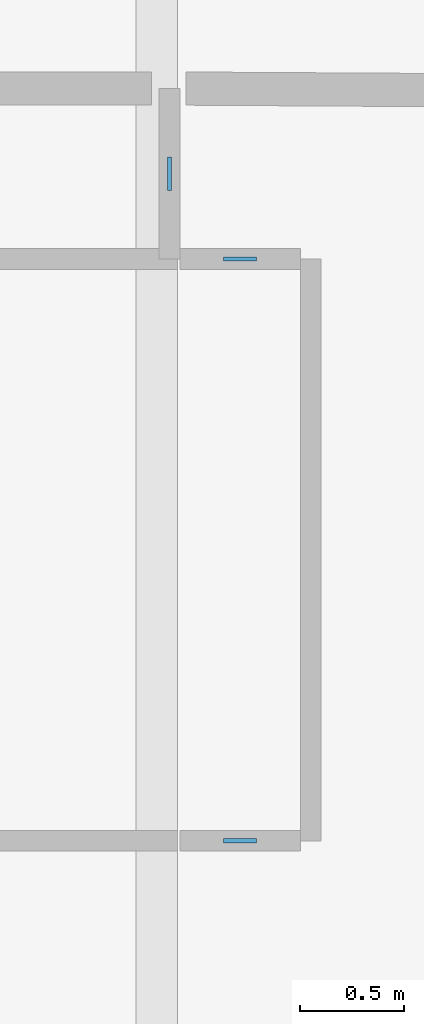
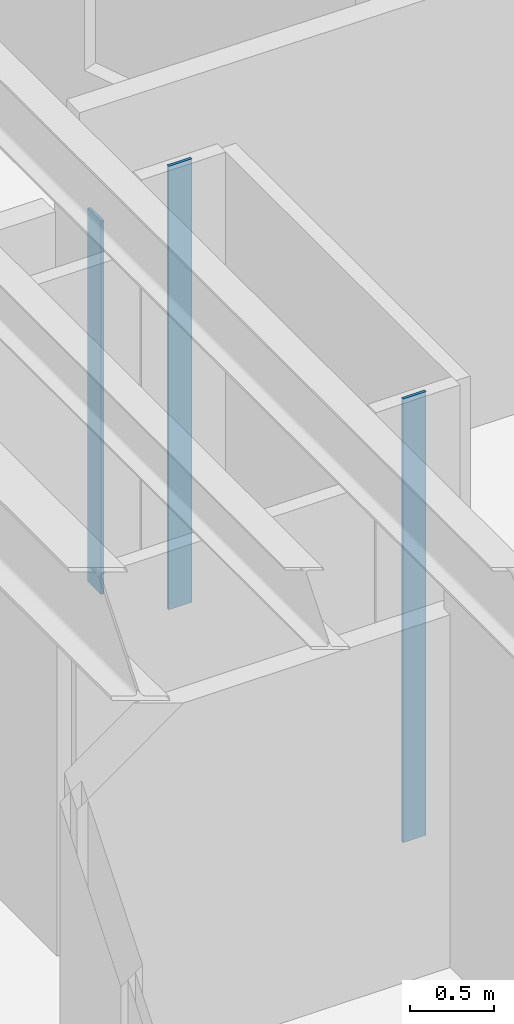
# One storey, part 2 of 9: 3 plates.
"""IFC4 building model written with IfcOpenShell, lengths in metres."""

from ifc_helpers import new_model, si_unit, direction, frame, origin, origin_2d, place, context, subcontext, project, spatial, rectangle, extrude, material, layer, layer_set, type_object, element, save


model = new_model("IFC4")

# Units and contexts
model_context = context("Model", 3, precision=1e-05, world=origin(), true_north=direction((0.0, 1.0)))
body_context = subcontext(model_context, "Body", "Model", "MODEL_VIEW")
ifc_project = project(units=[si_unit("LENGTHUNIT", "METRE"), si_unit("AREAUNIT", "SQUARE_METRE"), si_unit("VOLUMEUNIT", "CUBIC_METRE"), si_unit("PLANEANGLEUNIT", "RADIAN"), si_unit("MASSUNIT", "GRAM", prefix="KILO")], contexts=[model_context])

# Site, building, storey
site_placement = place(None, origin())
site = spatial("IfcSite", under=ifc_project, at=site_placement, CompositionType="ELEMENT")
building_placement = place(site_placement, origin())
building = spatial("IfcBuilding", under=site, at=building_placement, Name="Miruveldt Soraemaru", CompositionType="ELEMENT")
storey_placement = place(building_placement, frame((0.0, 0.0, 135.39990234375)))
storey = spatial("IfcBuildingStorey", under=building, at=storey_placement, Name="L37", CompositionType="ELEMENT", Elevation=135.39990234375)

# Plates
ifc_material = material(Name="Anodised aluminium EN AW-6063 T6", Category="aluminium")
ifc_layer = layer(ifc_material, 0.02001953125, Name="Anodised aluminium EN AW-6063 T6", Category="aluminium")
ifc_layer_set = layer_set([ifc_layer], Name="Anodised aluminium EN AW-6063 T6")
plate_type = type_object("IfcPlateType", Name="PLT-PART-TRIM", PredefinedType="SHEET", material=ifc_layer_set)
plate_placement = place(storey_placement, frame((58.800048828125, 43.590087890625, 0.0), z_axis=(0.0, 0.0, 1.0), x_axis=(0.0, 1.0, 0.0)))
element("IfcPlate", 1, at=plate_placement, inside=storey, type_object=plate_type, Name="L37 Partition Step Corner Trim Plate 048", PredefinedType="SHEET", context=body_context, shape_type="SweptSolid", body=[
    extrude(rectangle(XDim=0.159912109375, YDim=0.02001953125, at=origin_2d()), origin(), (0.0, 0.0, 1.0), 2.722900390625),
])
for number, where, z_axis, x_axis, name in (
    (2, (59.139892578125, 40.3798828125, 0.0), (0.0, 0.0, 1.0), (1.0, 0.0, 0.0), "L37 Partition Step Corner Trim Plate 049"),
    (3, (59.139892578125, 43.179931640625, 0.0), (0.0, 0.0, 1.0), (-1.0, 0.0, 0.0), "L37 Partition Step Corner Trim Plate 051"),
):
    element("IfcPlate", number, at=place(storey_placement, frame(where, z_axis=z_axis, x_axis=x_axis)), inside=storey, type_object=plate_type, Name=name, PredefinedType="SHEET", context=body_context, shape_type="SweptSolid", body=[
        extrude(rectangle(XDim=0.159912109375, YDim=0.02001953125, at=origin_2d()), origin(), (0.0, 0.0, 1.0), 3.235107421875),
    ])

save(model, "model.ifc")
